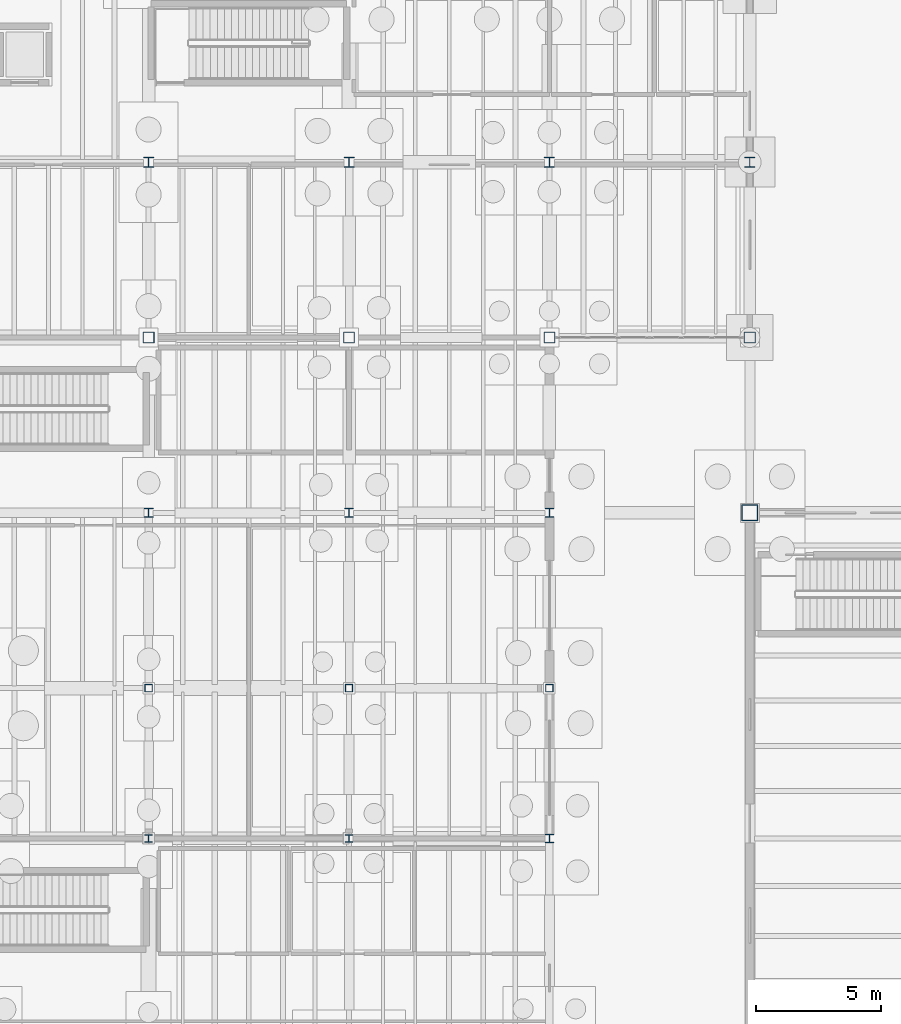
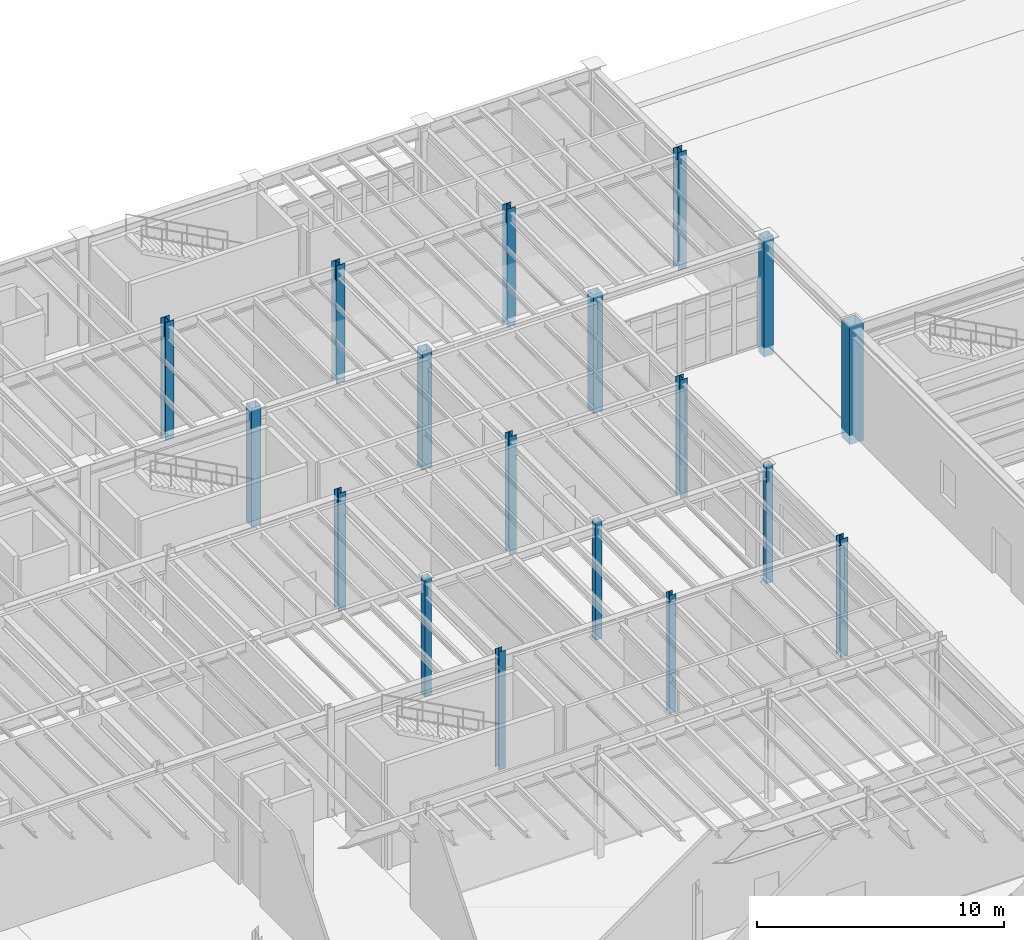
# One storey, part 14 of 86: 18 columns.
"""IFC4 building model written with IfcOpenShell, lengths in metres."""

from ifc_helpers import new_model, si_unit, direction, frame, origin, origin_2d, place, context, subcontext, project, spatial, hollow_rectangle, i_section, extrude, material, material_profile, profile_set, type_object, element, save


model = new_model("IFC4")

# Units and contexts
model_context = context("Model", 3, precision=1e-05, world=origin(), true_north=direction((0.0, 1.0)))
body_context = subcontext(model_context, "Body", "Model", "MODEL_VIEW")
ifc_project = project(units=[si_unit("LENGTHUNIT", "METRE"), si_unit("AREAUNIT", "SQUARE_METRE"), si_unit("VOLUMEUNIT", "CUBIC_METRE"), si_unit("PLANEANGLEUNIT", "RADIAN"), si_unit("MASSUNIT", "GRAM", prefix="KILO"), si_unit("THERMODYNAMICTEMPERATUREUNIT", "KELVIN"), si_unit("POWERUNIT", "WATT")], contexts=[model_context])

# Site, building, storey
site_placement = place(None, origin())
site = spatial("IfcSite", under=ifc_project, at=site_placement, CompositionType="ELEMENT")
building_placement = place(site_placement, origin())
building = spatial("IfcBuilding", under=site, at=building_placement, Name="Zhenchuan Central Fire Station", CompositionType="ELEMENT")
storey_placement = place(building_placement, frame((0.0, 0.0, 0.449951171875)))
storey = spatial("IfcBuildingStorey", under=building, at=storey_placement, Name="L01", CompositionType="ELEMENT", Elevation=0.449951171875)

# Columns
ifc_material = material(Name="Steel Q355B", Category="steel")
ifc_material_profile_1 = material_profile(ifc_material, hollow_rectangle(XDim=0.449951171875, YDim=0.449951171875, WallThickness=0.02197265625, at=origin_2d()), Name="BOX 450x450x22")
ifc_profile_set_1 = profile_set([ifc_material_profile_1], Name="Steel Q355B")
column_type_1 = type_object("IfcColumnType", Name="COL-BOX450-INT", PredefinedType="COLUMN", material=ifc_profile_set_1)
for number, where, z_axis, x_axis, name in (
    (1, (32.0, 42.5, -0.449951171875), (0.0, 0.0, 1.0), (1.0, 0.0, 0.0), "L01 Column 043"),
    (2, (40.0, 42.5, -0.449951171875), (0.0, 0.0, 1.0), (1.0, 0.0, 0.0), "L01 Column 052"),
    (3, (48.0, 42.5, -0.449951171875), (0.0, 0.0, 1.0), (1.0, 0.0, 0.0), "L01 Column 061"),
    (4, (56.0, 42.5, -0.449951171875), (0.0, 0.0, 1.0), (1.0, 0.0, 0.0), "L01 Column 067"),
):
    element("IfcColumn", number, at=place(storey_placement, frame(where, z_axis=z_axis, x_axis=x_axis)), inside=storey, type_object=column_type_1, Name=name, PredefinedType="COLUMN", context=body_context, shape_type="SweptSolid", body=[
        extrude(hollow_rectangle(XDim=0.449951171875, YDim=0.449951171875, WallThickness=0.02197265625, at=origin_2d()), origin(), (0.0, 0.0, 1.0), 5.85009765625),
    ])
ifc_material_profile_2 = material_profile(ifc_material, hollow_rectangle(XDim=0.64990234375, YDim=0.64990234375, WallThickness=0.031982421875, at=origin_2d()), Name="BOX 650x650x32")
ifc_profile_set_2 = profile_set([ifc_material_profile_2], Name="Steel Q355B")
column_type_2 = type_object("IfcColumnType", Name="COL-BOX650", PredefinedType="COLUMN", material=ifc_profile_set_2)
column_placement = place(storey_placement, frame((56.0, 35.5, -0.449951171875), z_axis=(0.0, 0.0, 1.0), x_axis=(1.0, 0.0, 0.0)))
element("IfcColumn", 5, at=column_placement, inside=storey, type_object=column_type_2, Name="L01 Column 066", PredefinedType="COLUMN", context=body_context, shape_type="SweptSolid", body=[
    extrude(hollow_rectangle(XDim=0.64990234375, YDim=0.64990234375, WallThickness=0.031982421875, at=origin_2d()), origin(), (0.0, 0.0, 1.0), 5.85009765625),
])
ifc_material_profile_3 = material_profile(ifc_material, i_section(OverallWidth=0.300048828125, OverallDepth=0.300048828125, WebThickness=0.010009765625, FlangeThickness=0.014892578125, FilletRadius=0.01806640625, at=origin_2d()), Name="HW 300x300")
ifc_profile_set_3 = profile_set([ifc_material_profile_3], Name="Steel Q355B")
column_type_3 = type_object("IfcColumnType", Name="COL-HW300-INT", PredefinedType="COLUMN", material=ifc_profile_set_3)
for number, where, z_axis, x_axis, name in (
    (6, (32.0, 22.5, -0.449951171875), (0.0, 0.0, 1.0), (1.0, 0.0, 0.0), "L01 Column 040"),
    (7, (40.0, 22.5, -0.449951171875), (0.0, 0.0, 1.0), (1.0, 0.0, 0.0), "L01 Column 049"),
):
    element("IfcColumn", number, at=place(storey_placement, frame(where, z_axis=z_axis, x_axis=x_axis)), inside=storey, type_object=column_type_3, Name=name, PredefinedType="COLUMN", context=body_context, shape_type="SweptSolid", body=[
        extrude(i_section(OverallWidth=0.300048828125, OverallDepth=0.300048828125, WebThickness=0.010009765625, FlangeThickness=0.014892578125, FilletRadius=0.01806640625, at=origin_2d()), origin(), (0.0, 0.0, 1.0), 5.85009765625),
    ])
ifc_material_profile_4 = material_profile(ifc_material, i_section(OverallWidth=0.35009765625, OverallDepth=0.35009765625, WebThickness=0.011962890625, FlangeThickness=0.01904296875, FilletRadius=0.02001953125, at=origin_2d()), Name="HW 350x350")
ifc_profile_set_4 = profile_set([ifc_material_profile_4], Name="Steel Q355B")
column_type_4 = type_object("IfcColumnType", Name="COL-HW350-INT", PredefinedType="COLUMN", material=ifc_profile_set_4)
for number, where, z_axis, x_axis, name in (
    (8, (32.0, 35.5, -0.449951171875), (0.0, 0.0, 1.0), (1.0, 0.0, 0.0), "L01 Column 042"),
    (9, (40.0, 35.5, -0.449951171875), (0.0, 0.0, 1.0), (1.0, 0.0, 0.0), "L01 Column 051"),
    (10, (48.0, 22.5, -0.449951171875), (0.0, 0.0, 1.0), (1.0, 0.0, 0.0), "L01 Column 058"),
    (11, (48.0, 35.5, -0.449951171875), (0.0, 0.0, 1.0), (1.0, 0.0, 0.0), "L01 Column 060"),
):
    element("IfcColumn", number, at=place(storey_placement, frame(where, z_axis=z_axis, x_axis=x_axis)), inside=storey, type_object=column_type_4, Name=name, PredefinedType="COLUMN", context=body_context, shape_type="SweptSolid", body=[
        extrude(i_section(OverallWidth=0.35009765625, OverallDepth=0.35009765625, WebThickness=0.011962890625, FlangeThickness=0.01904296875, FilletRadius=0.02001953125, at=origin_2d()), origin(), (0.0, 0.0, 1.0), 5.85009765625),
    ])
ifc_material_profile_5 = material_profile(ifc_material, i_section(OverallWidth=0.39990234375, OverallDepth=0.39990234375, WebThickness=0.012939453125, FlangeThickness=0.02099609375, FilletRadius=0.02197265625, at=origin_2d()), Name="HW 400x400")
ifc_profile_set_5 = profile_set([ifc_material_profile_5], Name="Steel Q355B")
column_type_5 = type_object("IfcColumnType", Name="COL-HW400-INT", PredefinedType="COLUMN", material=ifc_profile_set_5)
for number, where, z_axis, x_axis, name in (
    (12, (32.0, 49.5, -0.449951171875), (0.0, 0.0, 1.0), (1.0, 0.0, 0.0), "L01 Column 044"),
    (13, (40.0, 49.5, -0.449951171875), (0.0, 0.0, 1.0), (1.0, 0.0, 0.0), "L01 Column 053"),
    (14, (48.0, 49.5, -0.449951171875), (0.0, 0.0, 1.0), (1.0, 0.0, 0.0), "L01 Column 062"),
    (15, (56.0, 49.5, -0.449951171875), (0.0, 0.0, 1.0), (1.0, 0.0, 0.0), "L01 Column 068"),
):
    element("IfcColumn", number, at=place(storey_placement, frame(where, z_axis=z_axis, x_axis=x_axis)), inside=storey, type_object=column_type_5, Name=name, PredefinedType="COLUMN", context=body_context, shape_type="SweptSolid", body=[
        extrude(i_section(OverallWidth=0.39990234375, OverallDepth=0.39990234375, WebThickness=0.012939453125, FlangeThickness=0.02099609375, FilletRadius=0.02197265625, at=origin_2d()), origin(), (0.0, 0.0, 1.0), 5.85009765625),
    ])
ifc_material_profile_6 = material_profile(ifc_material, hollow_rectangle(XDim=0.300048828125, YDim=0.300048828125, WallThickness=0.013916015625, at=origin_2d()), Name="SHS 300x300x14")
ifc_profile_set_6 = profile_set([ifc_material_profile_6], Name="Steel Q355B")
column_type_6 = type_object("IfcColumnType", Name="COL-SHS300-INT", PredefinedType="COLUMN", material=ifc_profile_set_6)
for number, where, z_axis, x_axis, name in (
    (16, (32.0, 28.5, -0.449951171875), (0.0, 0.0, 1.0), (1.0, 0.0, 0.0), "L01 Column 041"),
    (17, (40.0, 28.5, -0.449951171875), (0.0, 0.0, 1.0), (1.0, 0.0, 0.0), "L01 Column 050"),
    (18, (48.0, 28.5, -0.449951171875), (0.0, 0.0, 1.0), (1.0, 0.0, 0.0), "L01 Column 059"),
):
    element("IfcColumn", number, at=place(storey_placement, frame(where, z_axis=z_axis, x_axis=x_axis)), inside=storey, type_object=column_type_6, Name=name, PredefinedType="COLUMN", context=body_context, shape_type="SweptSolid", body=[
        extrude(hollow_rectangle(XDim=0.300048828125, YDim=0.300048828125, WallThickness=0.013916015625, at=origin_2d()), origin(), (0.0, 0.0, 1.0), 5.85009765625),
    ])

save(model, "model.ifc")
